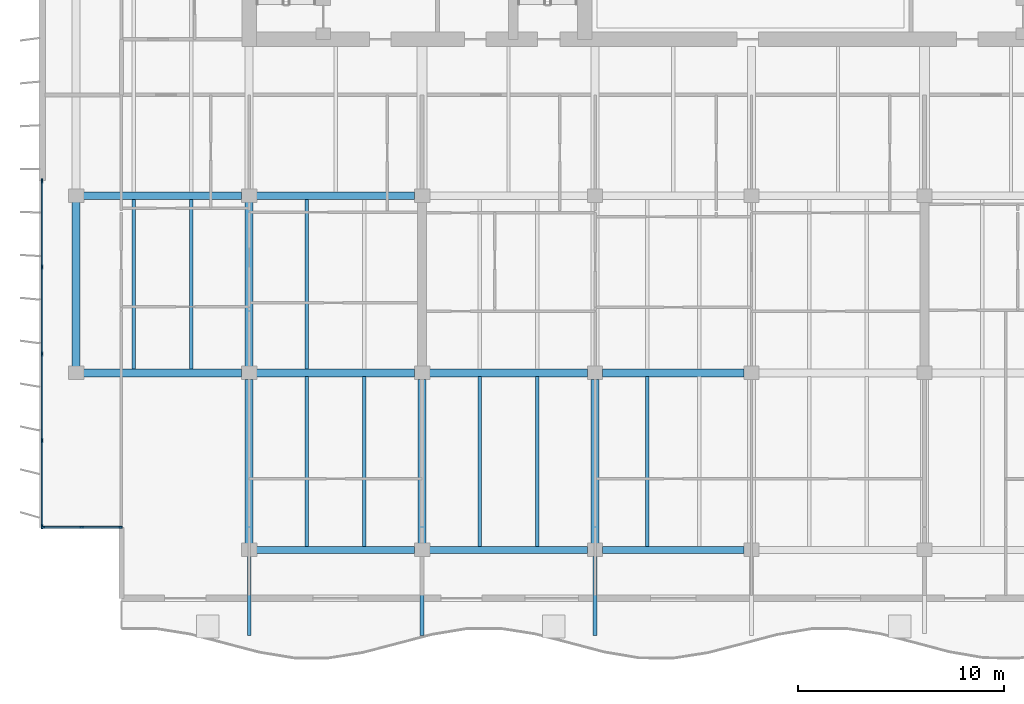
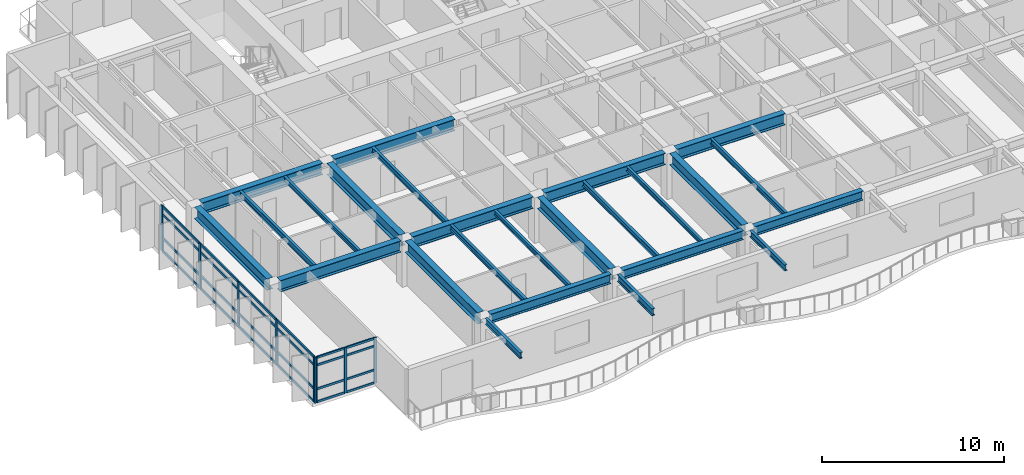
# One storey, part 2 of 19: 32 members, 25 beams, 2 elements without a shape of their own.
"""IFC4 building model written with IfcOpenShell, lengths in metres."""

from ifc_helpers import new_model, si_unit, direction, frame, origin, origin_2d, place, context, subcontext, project, spatial, rectangle, i_section, extrude, material, layer, layer_set, material_profile, profile_set, type_object, element, aggregate, save


model = new_model("IFC4")

# Units and contexts
model_context = context("Model", 3, precision=1e-05, world=origin(), true_north=direction((0.0, 1.0)))
body_context = subcontext(model_context, "Body", "Model", "MODEL_VIEW")
ifc_project = project(units=[si_unit("LENGTHUNIT", "METRE"), si_unit("AREAUNIT", "SQUARE_METRE"), si_unit("VOLUMEUNIT", "CUBIC_METRE"), si_unit("PLANEANGLEUNIT", "RADIAN"), si_unit("MASSUNIT", "GRAM", prefix="KILO")], contexts=[model_context])

# Site, building, storey
site_placement = place(None, origin())
site = spatial("IfcSite", under=ifc_project, at=site_placement, CompositionType="ELEMENT")
building_placement = place(site_placement, origin())
building = spatial("IfcBuilding", under=site, at=building_placement, Name="Caelmar Bay Residences", CompositionType="ELEMENT")
storey_placement = place(building_placement, frame((0.0, 0.0, 256.199951171875)))
storey = spatial("IfcBuildingStorey", under=building, at=storey_placement, Name="L72", CompositionType="ELEMENT", Elevation=256.199951171875)

# Beams
ifc_material_1 = material(Name="Steel ASTM A992 Grade 50", Category="steel")
ifc_material_profile_1 = material_profile(ifc_material_1, i_section(OverallWidth=0.177978515625, OverallDepth=0.406005859375, WebThickness=0.0078125, FlangeThickness=0.0126953125, FilletRadius=0.0087890625, at=origin_2d()), Name="W16X40")
ifc_profile_set_1 = profile_set([ifc_material_profile_1], Name="Steel ASTM A992 Grade 50")
beam_type_1 = type_object("IfcBeamType", Name="BM-BAL-W16X40", PredefinedType="JOIST", material=ifc_profile_set_1)
for number, where, z_axis, x_axis, name in (
    (1, (18.300048828125, 11.885009765625, 2.84716796875), (0.0, -1.0, 0.0), (1.0, 0.0, 0.0), "L73 South Balcony Cantilever Bracket 1"),
    (2, (35.10009765625, 11.885009765625, 2.84716796875), (0.0, -1.0, 0.0), (1.0, 0.0, 0.0), "L73 South Balcony Cantilever Bracket 3"),
):
    element("IfcBeam", number, at=place(storey_placement, frame(where, z_axis=z_axis, x_axis=x_axis)), inside=storey, type_object=beam_type_1, Name=name, PredefinedType="JOIST", context=body_context, shape_type="SweptSolid", body=[
        extrude(i_section(OverallWidth=0.177978515625, OverallDepth=0.406005859375, WebThickness=0.0078125, FlangeThickness=0.0126953125, FilletRadius=0.0087890625, at=origin_2d()), origin(), (0.0, 0.0, 1.0), 3.85009765625),
    ])
ifc_material_profile_2 = material_profile(ifc_material_1, i_section(OverallWidth=0.193115234375, OverallDepth=0.467041015625, WebThickness=0.011474609375, FlangeThickness=0.01904296875, FilletRadius=0.01025390625, at=origin_2d()), Name="W18X65")
ifc_profile_set_2 = profile_set([ifc_material_profile_2], Name="Steel ASTM A992 Grade 50")
beam_type_2 = type_object("IfcBeamType", Name="BM-BAL-W18X65", PredefinedType="BEAM", material=ifc_profile_set_2)
beam_1_placement = place(storey_placement, frame((26.699951171875, 11.885009765625, 2.816650390625), z_axis=(0.0, -1.0, 0.0), x_axis=(1.0, 0.0, 0.0)))
element("IfcBeam", 3, at=beam_1_placement, inside=storey, type_object=beam_type_2, Name="L73 South Balcony Cantilever Bracket 2", PredefinedType="BEAM", context=body_context, shape_type="SweptSolid", body=[
    extrude(i_section(OverallWidth=0.193115234375, OverallDepth=0.467041015625, WebThickness=0.011474609375, FlangeThickness=0.01904296875, FilletRadius=0.01025390625, at=origin_2d()), origin(), (0.0, 0.0, 1.0), 3.85009765625),
])
ifc_material_profile_3 = material_profile(ifc_material_1, i_section(OverallWidth=0.381103515625, OverallDepth=0.77197265625, WebThickness=0.0166015625, FlangeThickness=0.027099609375, FilletRadius=0.0166015625, at=origin_2d()), Name="W30X173")
ifc_profile_set_3 = profile_set([ifc_material_profile_3], Name="Steel ASTM A992 Grade 50")
beam_type_3 = type_object("IfcBeamType", Name="BM-GRD-W30X173", PredefinedType="BEAM", material=ifc_profile_set_3)
beam_2_placement = place(storey_placement, frame((10.264892578125, 20.800048828125, 2.6640625), z_axis=(1.0, 0.0, 0.0), x_axis=(0.0, 1.0, 0.0)))
element("IfcBeam", 4, at=beam_2_placement, inside=storey, type_object=beam_type_3, Name="L72 East-West Girder Y=20.80 (9.9-18.3)", PredefinedType="BEAM", context=body_context, shape_type="SweptSolid", body=[
    extrude(i_section(OverallWidth=0.381103515625, OverallDepth=0.77197265625, WebThickness=0.0166015625, FlangeThickness=0.027099609375, FilletRadius=0.0166015625, at=origin_2d()), origin(), (0.0, 0.0, 1.0), 7.670166015625),
])
beam_3_placement = place(storey_placement, frame((18.6650390625, 20.800048828125, 2.6640625), z_axis=(1.0, 0.0, 0.0), x_axis=(0.0, 1.0, 0.0)))
element("IfcBeam", 5, at=beam_3_placement, inside=storey, type_object=beam_type_3, Name="L72 East-West Girder Y=20.80 (18.3-26.7)", PredefinedType="BEAM", context=body_context, shape_type="SweptSolid", body=[
    extrude(i_section(OverallWidth=0.381103515625, OverallDepth=0.77197265625, WebThickness=0.0166015625, FlangeThickness=0.027099609375, FilletRadius=0.0166015625, at=origin_2d()), origin(), (0.0, 0.0, 1.0), 7.669921875),
])
beam_4_placement = place(storey_placement, frame((27.06494140625, 20.800048828125, 2.6640625), z_axis=(1.0, 0.0, 0.0), x_axis=(0.0, 1.0, 0.0)))
element("IfcBeam", 6, at=beam_4_placement, inside=storey, type_object=beam_type_3, Name="L72 East-West Girder Y=20.80 (26.7-35.1)", PredefinedType="BEAM", context=body_context, shape_type="SweptSolid", body=[
    extrude(i_section(OverallWidth=0.381103515625, OverallDepth=0.77197265625, WebThickness=0.0166015625, FlangeThickness=0.027099609375, FilletRadius=0.0166015625, at=origin_2d()), origin(), (0.0, 0.0, 1.0), 7.670166015625),
])
beam_5_placement = place(storey_placement, frame((35.465087890625, 20.800048828125, 2.6640625), z_axis=(1.0, 0.0, 0.0), x_axis=(0.0, 1.0, 0.0)))
element("IfcBeam", 7, at=beam_5_placement, inside=storey, type_object=beam_type_3, Name="L72 East-West Girder Y=20.80 (35.1-42.7)", PredefinedType="BEAM", context=body_context, shape_type="SweptSolid", body=[
    extrude(i_section(OverallWidth=0.381103515625, OverallDepth=0.77197265625, WebThickness=0.0166015625, FlangeThickness=0.027099609375, FilletRadius=0.0166015625, at=origin_2d()), origin(), (0.0, 0.0, 1.0), 6.869873046875),
])
beam_6_placement = place(storey_placement, frame((10.264892578125, 29.39990234375, 2.6640625), z_axis=(1.0, 0.0, 0.0), x_axis=(0.0, 1.0, 0.0)))
element("IfcBeam", 8, at=beam_6_placement, inside=storey, type_object=beam_type_3, Name="L72 East-West Girder Y=29.40 (9.9-18.3)", PredefinedType="BEAM", context=body_context, shape_type="SweptSolid", body=[
    extrude(i_section(OverallWidth=0.381103515625, OverallDepth=0.77197265625, WebThickness=0.0166015625, FlangeThickness=0.027099609375, FilletRadius=0.0166015625, at=origin_2d()), origin(), (0.0, 0.0, 1.0), 7.670166015625),
])
beam_7_placement = place(storey_placement, frame((18.6650390625, 29.39990234375, 2.6640625), z_axis=(1.0, 0.0, 0.0), x_axis=(0.0, 1.0, 0.0)))
element("IfcBeam", 9, at=beam_7_placement, inside=storey, type_object=beam_type_3, Name="L72 East-West Girder Y=29.40 (18.3-26.7)", PredefinedType="BEAM", context=body_context, shape_type="SweptSolid", body=[
    extrude(i_section(OverallWidth=0.381103515625, OverallDepth=0.77197265625, WebThickness=0.0166015625, FlangeThickness=0.027099609375, FilletRadius=0.0166015625, at=origin_2d()), origin(), (0.0, 0.0, 1.0), 7.669921875),
])
beam_8_placement = place(storey_placement, frame((9.89990234375, 21.114990234375, 2.6640625), z_axis=(0.0, 1.0, 0.0), x_axis=(-1.0, 0.0, 0.0)))
element("IfcBeam", 10, at=beam_8_placement, inside=storey, type_object=beam_type_3, Name="L72 North-South Girder X=9.90 (20.8-29.4)", PredefinedType="BEAM", context=body_context, shape_type="SweptSolid", body=[
    extrude(i_section(OverallWidth=0.381103515625, OverallDepth=0.77197265625, WebThickness=0.0166015625, FlangeThickness=0.027099609375, FilletRadius=0.0166015625, at=origin_2d()), origin(), (0.0, 0.0, 1.0), 7.969970703125),
])
beam_9_placement = place(storey_placement, frame((18.300048828125, 12.514892578125, 2.6640625), z_axis=(0.0, 1.0, 0.0), x_axis=(-1.0, 0.0, 0.0)))
element("IfcBeam", 11, at=beam_9_placement, inside=storey, type_object=beam_type_3, Name="L72 North-South Girder X=18.30 (12.2-20.8)", PredefinedType="BEAM", context=body_context, shape_type="SweptSolid", body=[
    extrude(i_section(OverallWidth=0.381103515625, OverallDepth=0.77197265625, WebThickness=0.0166015625, FlangeThickness=0.027099609375, FilletRadius=0.0166015625, at=origin_2d()), origin(), (0.0, 0.0, 1.0), 7.97021484375),
])
beam_10_placement = place(storey_placement, frame((18.300048828125, 21.114990234375, 2.6640625), z_axis=(0.0, 1.0, 0.0), x_axis=(-1.0, 0.0, 0.0)))
element("IfcBeam", 12, at=beam_10_placement, inside=storey, type_object=beam_type_3, Name="L72 North-South Girder X=18.30 (20.8-29.4)", PredefinedType="BEAM", context=body_context, shape_type="SweptSolid", body=[
    extrude(i_section(OverallWidth=0.381103515625, OverallDepth=0.77197265625, WebThickness=0.0166015625, FlangeThickness=0.027099609375, FilletRadius=0.0166015625, at=origin_2d()), origin(), (0.0, 0.0, 1.0), 7.969970703125),
])
for number, where, z_axis, x_axis, name in (
    (13, (26.699951171875, 12.514892578125, 2.6640625), (0.0, 1.0, 0.0), (-1.0, 0.0, 0.0), "L72 North-South Girder X=26.70 (12.2-20.8)"),
    (14, (35.10009765625, 12.514892578125, 2.6640625), (0.0, 1.0, 0.0), (-1.0, 0.0, 0.0), "L72 North-South Girder X=35.10 (12.2-20.8)"),
):
    element("IfcBeam", number, at=place(storey_placement, frame(where, z_axis=z_axis, x_axis=x_axis)), inside=storey, type_object=beam_type_3, Name=name, PredefinedType="BEAM", context=body_context, shape_type="SweptSolid", body=[
        extrude(i_section(OverallWidth=0.381103515625, OverallDepth=0.77197265625, WebThickness=0.0166015625, FlangeThickness=0.027099609375, FilletRadius=0.0166015625, at=origin_2d()), origin(), (0.0, 0.0, 1.0), 7.97021484375),
    ])
ifc_material_profile_4 = material_profile(ifc_material_1, i_section(OverallWidth=0.1650390625, OverallDepth=0.31005859375, WebThickness=0.005859375, FlangeThickness=0.009765625, FilletRadius=0.007568359375, at=origin_2d()), Name="W12X26")
ifc_profile_set_4 = profile_set([ifc_material_profile_4], Name="Steel ASTM A992 Grade 50")
beam_type_4 = type_object("IfcBeamType", Name="BM-JST-W12X26", PredefinedType="JOIST", material=ifc_profile_set_4)
for number, where, z_axis, x_axis, name in (
    (15, (23.89990234375, 12.362548828125, 2.89501953125), (0.0, 1.0, 0.0), (-1.0, 0.0, 0.0), "L72 Composite Floor Joist 2"),
    (16, (32.300048828125, 12.362548828125, 2.89501953125), (0.0, 1.0, 0.0), (-1.0, 0.0, 0.0), "L72 Composite Floor Joist 4"),
):
    element("IfcBeam", number, at=place(storey_placement, frame(where, z_axis=z_axis, x_axis=x_axis)), inside=storey, type_object=beam_type_4, Name=name, PredefinedType="JOIST", context=body_context, shape_type="SweptSolid", body=[
        extrude(i_section(OverallWidth=0.1650390625, OverallDepth=0.31005859375, WebThickness=0.005859375, FlangeThickness=0.009765625, FilletRadius=0.007568359375, at=origin_2d()), origin(), (0.0, 0.0, 1.0), 8.2470703125),
    ])
beam_11_placement = place(storey_placement, frame((15.5, 20.990478515625, 2.89501953125), z_axis=(0.0, 1.0, 0.0), x_axis=(-1.0, 0.0, 0.0)))
element("IfcBeam", 17, at=beam_11_placement, inside=storey, type_object=beam_type_4, Name="L72 Composite Floor Joist 12", PredefinedType="JOIST", context=body_context, shape_type="SweptSolid", body=[
    extrude(i_section(OverallWidth=0.1650390625, OverallDepth=0.31005859375, WebThickness=0.005859375, FlangeThickness=0.009765625, FilletRadius=0.007568359375, at=origin_2d()), origin(), (0.0, 0.0, 1.0), 8.218994140625),
])
ifc_material_profile_5 = material_profile(ifc_material_1, i_section(OverallWidth=0.1708984375, OverallDepth=0.35595703125, WebThickness=0.007080078125, FlangeThickness=0.01171875, FilletRadius=0.007568359375, at=origin_2d()), Name="W14X34")
ifc_profile_set_5 = profile_set([ifc_material_profile_5], Name="Steel ASTM A992 Grade 50")
beam_type_5 = type_object("IfcBeamType", Name="BM-JST-W14X34", PredefinedType="JOIST", material=ifc_profile_set_5)
for number, where, z_axis, x_axis, name in (
    (18, (21.10009765625, 12.362548828125, 2.8720703125), (0.0, 1.0, 0.0), (-1.0, 0.0, 0.0), "L72 Composite Floor Joist 1"),
    (19, (29.5, 12.362548828125, 2.8720703125), (0.0, 1.0, 0.0), (-1.0, 0.0, 0.0), "L72 Composite Floor Joist 3"),
    (20, (37.63330078125, 12.362548828125, 2.8720703125), (0.0, 1.0, 0.0), (-1.0, 0.0, 0.0), "L72 Composite Floor Joist 5"),
):
    element("IfcBeam", number, at=place(storey_placement, frame(where, z_axis=z_axis, x_axis=x_axis)), inside=storey, type_object=beam_type_5, Name=name, PredefinedType="JOIST", context=body_context, shape_type="SweptSolid", body=[
        extrude(i_section(OverallWidth=0.1708984375, OverallDepth=0.35595703125, WebThickness=0.007080078125, FlangeThickness=0.01171875, FilletRadius=0.007568359375, at=origin_2d()), origin(), (0.0, 0.0, 1.0), 8.2470703125),
    ])
for number, where, z_axis, x_axis, name in (
    (21, (12.699951171875, 20.990478515625, 2.8720703125), (0.0, 1.0, 0.0), (-1.0, 0.0, 0.0), "L72 Composite Floor Joist 11"),
    (22, (21.10009765625, 20.990478515625, 2.8720703125), (0.0, 1.0, 0.0), (-1.0, 0.0, 0.0), "L72 Composite Floor Joist 13"),
):
    element("IfcBeam", number, at=place(storey_placement, frame(where, z_axis=z_axis, x_axis=x_axis)), inside=storey, type_object=beam_type_5, Name=name, PredefinedType="JOIST", context=body_context, shape_type="SweptSolid", body=[
        extrude(i_section(OverallWidth=0.1708984375, OverallDepth=0.35595703125, WebThickness=0.007080078125, FlangeThickness=0.01171875, FilletRadius=0.007568359375, at=origin_2d()), origin(), (0.0, 0.0, 1.0), 8.218994140625),
    ])
ifc_material_profile_6 = material_profile(ifc_material_1, i_section(OverallWidth=0.324951171875, OverallDepth=0.616943359375, WebThickness=0.013916015625, FlangeThickness=0.021484375, FilletRadius=0.0126953125, at=origin_2d()), Name="W24X117")
ifc_profile_set_6 = profile_set([ifc_material_profile_6], Name="Steel ASTM A992 Grade 50")
beam_type_6 = type_object("IfcBeamType", Name="BM-SPN-W24X117", PredefinedType="SPANDREL", material=ifc_profile_set_6)
beam_12_placement = place(storey_placement, frame((18.6650390625, 12.199951171875, 2.741455078125), z_axis=(1.0, 0.0, 0.0), x_axis=(0.0, 1.0, 0.0)))
element("IfcBeam", 23, at=beam_12_placement, inside=storey, type_object=beam_type_6, Name="L72 East-West Girder Y=12.20 (18.3-26.7)", PredefinedType="SPANDREL", context=body_context, shape_type="SweptSolid", body=[
    extrude(i_section(OverallWidth=0.324951171875, OverallDepth=0.616943359375, WebThickness=0.013916015625, FlangeThickness=0.021484375, FilletRadius=0.0126953125, at=origin_2d()), origin(), (0.0, 0.0, 1.0), 7.669921875),
])
beam_13_placement = place(storey_placement, frame((27.06494140625, 12.199951171875, 2.741455078125), z_axis=(1.0, 0.0, 0.0), x_axis=(0.0, 1.0, 0.0)))
element("IfcBeam", 24, at=beam_13_placement, inside=storey, type_object=beam_type_6, Name="L72 East-West Girder Y=12.20 (26.7-35.1)", PredefinedType="SPANDREL", context=body_context, shape_type="SweptSolid", body=[
    extrude(i_section(OverallWidth=0.324951171875, OverallDepth=0.616943359375, WebThickness=0.013916015625, FlangeThickness=0.021484375, FilletRadius=0.0126953125, at=origin_2d()), origin(), (0.0, 0.0, 1.0), 7.670166015625),
])
beam_14_placement = place(storey_placement, frame((35.465087890625, 12.199951171875, 2.741455078125), z_axis=(1.0, 0.0, 0.0), x_axis=(0.0, 1.0, 0.0)))
element("IfcBeam", 25, at=beam_14_placement, inside=storey, type_object=beam_type_6, Name="L72 East-West Girder Y=12.20 (35.1-42.7)", PredefinedType="SPANDREL", context=body_context, shape_type="SweptSolid", body=[
    extrude(i_section(OverallWidth=0.324951171875, OverallDepth=0.616943359375, WebThickness=0.013916015625, FlangeThickness=0.021484375, FilletRadius=0.0126953125, at=origin_2d()), origin(), (0.0, 0.0, 1.0), 6.869873046875),
])

# Curtain wall, members
ifc_material_2 = material(Name="Anodised bronze aluminium 6063-T6 and laminated glass", Category="aluminium")
ifc_layer_1 = layer(ifc_material_2, 0.179931640625)
ifc_layer_set_1 = layer_set([ifc_layer_1], Name="Anodised bronze aluminium 6063-T6 and laminated glass")
curtain_wall_type_1 = type_object("IfcCurtainWallType", Name="CW6-NTC", PredefinedType="NOTDEFINED", material=ifc_layer_set_1)
curtain_wall_1_placement = place(storey_placement, origin())
curtain_wall_1 = element("IfcCurtainWall", 26, at=curtain_wall_1_placement, inside=storey, type_object=curtain_wall_type_1, Name="CW6 curtain wall L72", PredefinedType="NOTDEFINED")
ifc_material_3 = material(Name="Anodised bronze aluminium 6063-T6", Category="aluminium")
ifc_material_profile_7 = material_profile(ifc_material_3, rectangle(XDim=0.080078125, YDim=0.179931640625, at=origin_2d()), Name="CWM-80X180")
ifc_profile_set_7 = profile_set([ifc_material_profile_7], Name="Anodised bronze aluminium 6063-T6")
member_type_1 = type_object("IfcMemberType", Name="CWM-180", PredefinedType="MULLION", material=ifc_profile_set_7)
member_1_placement = place(storey_placement, frame((8.2900390625, 13.300048828125, 0.0), z_axis=(0.0, 0.0, 1.0), x_axis=(0.0, 1.0, 0.0)))
member_1 = element("IfcMember", 27, at=member_1_placement, type_object=member_type_1, Name="CW6 mullion 1", PredefinedType="MULLION", context=body_context, shape_type="SweptSolid", body=[
    extrude(rectangle(XDim=0.080078125, YDim=0.179931640625, at=origin_2d()), origin(), (0.0, 0.0, 1.0), 3.050048828125),
])
member_2_placement = place(storey_placement, frame((10.175048828125, 13.300048828125, 0.0), z_axis=(0.0, 0.0, 1.0), x_axis=(0.0, 1.0, 0.0)))
member_2 = element("IfcMember", 28, at=member_2_placement, type_object=member_type_1, Name="CW6 mullion 2", PredefinedType="MULLION", context=body_context, shape_type="SweptSolid", body=[
    extrude(rectangle(XDim=0.080078125, YDim=0.179931640625, at=origin_2d()), origin(), (0.0, 0.0, 1.0), 3.050048828125),
])
member_3_placement = place(storey_placement, frame((12.06005859375, 13.300048828125, 0.0), z_axis=(0.0, 0.0, 1.0), x_axis=(0.0, 1.0, 0.0)))
member_3 = element("IfcMember", 29, at=member_3_placement, type_object=member_type_1, Name="CW6 mullion 3", PredefinedType="MULLION", context=body_context, shape_type="SweptSolid", body=[
    extrude(rectangle(XDim=0.080078125, YDim=0.179931640625, at=origin_2d()), origin(), (0.0, 0.0, 1.0), 3.050048828125),
])

ifc_layer_2 = layer(ifc_material_2, 0.179931640625)
ifc_layer_set_2 = layer_set([ifc_layer_2], Name="Anodised bronze aluminium 6063-T6 and laminated glass")
curtain_wall_type_2 = type_object("IfcCurtainWallType", Name="CW5-Z4", PredefinedType="NOTDEFINED", material=ifc_layer_set_2)
curtain_wall_2_placement = place(storey_placement, origin())
curtain_wall_2 = element("IfcCurtainWall", 30, at=curtain_wall_2_placement, inside=storey, type_object=curtain_wall_type_2, Name="CW5 curtain wall L72", PredefinedType="NOTDEFINED")
ifc_material_profile_8 = material_profile(ifc_material_3, rectangle(XDim=0.080078125, YDim=0.219970703125, at=origin_2d()), Name="CWM-80X220")
ifc_profile_set_8 = profile_set([ifc_material_profile_8], Name="Anodised bronze aluminium 6063-T6")
member_type_2 = type_object("IfcMemberType", Name="CWM-220", PredefinedType="MULLION", material=ifc_profile_set_8)
member_4_placement = place(storey_placement, frame((8.25, 13.340087890625, 0.0), z_axis=(0.0, 0.0, 1.0), x_axis=(-1.0, 0.0, 0.0)))
member_4 = element("IfcMember", 31, at=member_4_placement, type_object=member_type_2, Name="CW5 mullion 1", PredefinedType="MULLION", context=body_context, shape_type="SweptSolid", body=[
    extrude(rectangle(XDim=0.080078125, YDim=0.219970703125, at=origin_2d()), origin(), (0.0, 0.0, 1.0), 3.050048828125),
])
member_5_placement = place(storey_placement, frame((8.25, 17.512451171875, 0.0), z_axis=(0.0, 0.0, 1.0), x_axis=(-1.0, 0.0, 0.0)))
member_5 = element("IfcMember", 32, at=member_5_placement, type_object=member_type_2, Name="CW5 mullion 2", PredefinedType="MULLION", context=body_context, shape_type="SweptSolid", body=[
    extrude(rectangle(XDim=0.080078125, YDim=0.219970703125, at=origin_2d()), origin(), (0.0, 0.0, 1.0), 3.050048828125),
])
member_6_placement = place(storey_placement, frame((8.25, 21.72509765625, 0.0), z_axis=(0.0, 0.0, 1.0), x_axis=(-1.0, 0.0, 0.0)))
member_6 = element("IfcMember", 33, at=member_6_placement, type_object=member_type_2, Name="CW5 mullion 3", PredefinedType="MULLION", context=body_context, shape_type="SweptSolid", body=[
    extrude(rectangle(XDim=0.080078125, YDim=0.219970703125, at=origin_2d()), origin(), (0.0, 0.0, 1.0), 3.050048828125),
])
member_7_placement = place(storey_placement, frame((8.25, 25.9375, 0.0), z_axis=(0.0, 0.0, 1.0), x_axis=(-1.0, 0.0, 0.0)))
member_7 = element("IfcMember", 34, at=member_7_placement, type_object=member_type_2, Name="CW5 mullion 4", PredefinedType="MULLION", context=body_context, shape_type="SweptSolid", body=[
    extrude(rectangle(XDim=0.080078125, YDim=0.219970703125, at=origin_2d()), origin(), (0.0, 0.0, 1.0), 3.050048828125),
])
member_8_placement = place(storey_placement, frame((8.25, 30.110107421875, 0.0), z_axis=(0.0, 0.0, 1.0), x_axis=(-1.0, 0.0, 0.0)))
member_8 = element("IfcMember", 35, at=member_8_placement, type_object=member_type_2, Name="CW5 mullion 5", PredefinedType="MULLION", context=body_context, shape_type="SweptSolid", body=[
    extrude(rectangle(XDim=0.080078125, YDim=0.219970703125, at=origin_2d()), origin(), (0.0, 0.0, 1.0), 3.050048828125),
])

# Member
ifc_material_profile_9 = material_profile(ifc_material_3, rectangle(XDim=0.080078125, YDim=0.139892578125, at=origin_2d()), Name="CWT-80X140")
ifc_profile_set_9 = profile_set([ifc_material_profile_9], Name="Anodised bronze aluminium 6063-T6")
member_type_3 = type_object("IfcMemberType", Name="CWT-140", PredefinedType="NOTDEFINED", material=ifc_profile_set_9)
member_9_placement = place(storey_placement, frame((8.330078125, 13.300048828125, 0.0400390625), z_axis=(1.0, 0.0, 0.0), x_axis=(0.0, 1.0, 0.0)))
member_9 = element("IfcMember", 36, at=member_9_placement, type_object=member_type_3, Name="CW6 transom 1.1", ObjectType="TRANSOM", PredefinedType="USERDEFINED", context=body_context, shape_type="SweptSolid", body=[
    extrude(rectangle(XDim=0.080078125, YDim=0.139892578125, at=origin_2d()), origin(), (0.0, 0.0, 1.0), 1.804931640625),
])

member_10_placement = place(storey_placement, frame((8.330078125, 13.300048828125, 0.900146484375), z_axis=(1.0, 0.0, 0.0), x_axis=(0.0, 1.0, 0.0)))
member_10 = element("IfcMember", 37, at=member_10_placement, type_object=member_type_3, Name="CW6 transom 1.2", ObjectType="TRANSOM", PredefinedType="USERDEFINED", context=body_context, shape_type="SweptSolid", body=[
    extrude(rectangle(XDim=0.080078125, YDim=0.139892578125, at=origin_2d()), origin(), (0.0, 0.0, 1.0), 1.804931640625),
])

member_11_placement = place(storey_placement, frame((8.330078125, 13.300048828125, 2.5), z_axis=(1.0, 0.0, 0.0), x_axis=(0.0, 1.0, 0.0)))
member_11 = element("IfcMember", 38, at=member_11_placement, type_object=member_type_3, Name="CW6 transom 1.3", ObjectType="TRANSOM", PredefinedType="USERDEFINED", context=body_context, shape_type="SweptSolid", body=[
    extrude(rectangle(XDim=0.080078125, YDim=0.139892578125, at=origin_2d()), origin(), (0.0, 0.0, 1.0), 1.804931640625),
])

member_12_placement = place(storey_placement, frame((8.330078125, 13.300048828125, 3.010009765625), z_axis=(1.0, 0.0, 0.0), x_axis=(0.0, 1.0, 0.0)))
member_12 = element("IfcMember", 39, at=member_12_placement, type_object=member_type_3, Name="CW6 transom 1.4", ObjectType="TRANSOM", PredefinedType="USERDEFINED", context=body_context, shape_type="SweptSolid", body=[
    extrude(rectangle(XDim=0.080078125, YDim=0.139892578125, at=origin_2d()), origin(), (0.0, 0.0, 1.0), 1.804931640625),
])

member_13_placement = place(storey_placement, frame((10.215087890625, 13.300048828125, 0.0400390625), z_axis=(1.0, 0.0, 0.0), x_axis=(0.0, 1.0, 0.0)))
member_13 = element("IfcMember", 40, at=member_13_placement, type_object=member_type_3, Name="CW6 transom 2.1", ObjectType="TRANSOM", PredefinedType="USERDEFINED", context=body_context, shape_type="SweptSolid", body=[
    extrude(rectangle(XDim=0.080078125, YDim=0.139892578125, at=origin_2d()), origin(), (0.0, 0.0, 1.0), 1.804931640625),
])

member_14_placement = place(storey_placement, frame((10.215087890625, 13.300048828125, 0.900146484375), z_axis=(1.0, 0.0, 0.0), x_axis=(0.0, 1.0, 0.0)))
member_14 = element("IfcMember", 41, at=member_14_placement, type_object=member_type_3, Name="CW6 transom 2.2", ObjectType="TRANSOM", PredefinedType="USERDEFINED", context=body_context, shape_type="SweptSolid", body=[
    extrude(rectangle(XDim=0.080078125, YDim=0.139892578125, at=origin_2d()), origin(), (0.0, 0.0, 1.0), 1.804931640625),
])

member_15_placement = place(storey_placement, frame((10.215087890625, 13.300048828125, 2.5), z_axis=(1.0, 0.0, 0.0), x_axis=(0.0, 1.0, 0.0)))
member_15 = element("IfcMember", 42, at=member_15_placement, type_object=member_type_3, Name="CW6 transom 2.3", ObjectType="TRANSOM", PredefinedType="USERDEFINED", context=body_context, shape_type="SweptSolid", body=[
    extrude(rectangle(XDim=0.080078125, YDim=0.139892578125, at=origin_2d()), origin(), (0.0, 0.0, 1.0), 1.804931640625),
])

member_16_placement = place(storey_placement, frame((10.215087890625, 13.300048828125, 3.010009765625), z_axis=(1.0, 0.0, 0.0), x_axis=(0.0, 1.0, 0.0)))
member_16 = element("IfcMember", 43, at=member_16_placement, type_object=member_type_3, Name="CW6 transom 2.4", ObjectType="TRANSOM", PredefinedType="USERDEFINED", context=body_context, shape_type="SweptSolid", body=[
    extrude(rectangle(XDim=0.080078125, YDim=0.139892578125, at=origin_2d()), origin(), (0.0, 0.0, 1.0), 1.804931640625),
])

aggregate(curtain_wall_1, [member_1, member_2, member_3, member_9, member_10, member_11, member_12, member_13, member_14, member_15, member_16])

ifc_material_profile_10 = material_profile(ifc_material_3, rectangle(XDim=0.080078125, YDim=0.159912109375, at=origin_2d()), Name="CWT-80X160")
ifc_profile_set_10 = profile_set([ifc_material_profile_10], Name="Anodised bronze aluminium 6063-T6")
member_type_4 = type_object("IfcMemberType", Name="CWT-160", PredefinedType="NOTDEFINED", material=ifc_profile_set_10)
member_17_placement = place(storey_placement, frame((8.25, 13.3798828125, 0.0400390625), z_axis=(0.0, 1.0, 0.0), x_axis=(-1.0, 0.0, 0.0)))
member_17 = element("IfcMember", 44, at=member_17_placement, type_object=member_type_4, Name="CW5 transom 1.1", ObjectType="TRANSOM", PredefinedType="USERDEFINED", context=body_context, shape_type="SweptSolid", body=[
    extrude(rectangle(XDim=0.080078125, YDim=0.159912109375, at=origin_2d()), origin(), (0.0, 0.0, 1.0), 4.092529296875),
])

member_18_placement = place(storey_placement, frame((8.25, 13.3798828125, 0.900146484375), z_axis=(0.0, 1.0, 0.0), x_axis=(-1.0, 0.0, 0.0)))
member_18 = element("IfcMember", 45, at=member_18_placement, type_object=member_type_4, Name="CW5 transom 1.2", ObjectType="TRANSOM", PredefinedType="USERDEFINED", context=body_context, shape_type="SweptSolid", body=[
    extrude(rectangle(XDim=0.080078125, YDim=0.159912109375, at=origin_2d()), origin(), (0.0, 0.0, 1.0), 4.092529296875),
])

member_19_placement = place(storey_placement, frame((8.25, 13.3798828125, 2.5), z_axis=(0.0, 1.0, 0.0), x_axis=(-1.0, 0.0, 0.0)))
member_19 = element("IfcMember", 46, at=member_19_placement, type_object=member_type_4, Name="CW5 transom 1.3", ObjectType="TRANSOM", PredefinedType="USERDEFINED", context=body_context, shape_type="SweptSolid", body=[
    extrude(rectangle(XDim=0.080078125, YDim=0.159912109375, at=origin_2d()), origin(), (0.0, 0.0, 1.0), 4.092529296875),
])

member_20_placement = place(storey_placement, frame((8.25, 13.3798828125, 3.010009765625), z_axis=(0.0, 1.0, 0.0), x_axis=(-1.0, 0.0, 0.0)))
member_20 = element("IfcMember", 47, at=member_20_placement, type_object=member_type_4, Name="CW5 transom 1.4", ObjectType="TRANSOM", PredefinedType="USERDEFINED", context=body_context, shape_type="SweptSolid", body=[
    extrude(rectangle(XDim=0.080078125, YDim=0.159912109375, at=origin_2d()), origin(), (0.0, 0.0, 1.0), 4.092529296875),
])

member_21_placement = place(storey_placement, frame((8.25, 17.552490234375, 0.0400390625), z_axis=(0.0, 1.0, 0.0), x_axis=(-1.0, 0.0, 0.0)))
member_21 = element("IfcMember", 48, at=member_21_placement, type_object=member_type_4, Name="CW5 transom 2.1", ObjectType="TRANSOM", PredefinedType="USERDEFINED", context=body_context, shape_type="SweptSolid", body=[
    extrude(rectangle(XDim=0.080078125, YDim=0.159912109375, at=origin_2d()), origin(), (0.0, 0.0, 1.0), 4.132568359375),
])

member_22_placement = place(storey_placement, frame((8.25, 17.552490234375, 0.900146484375), z_axis=(0.0, 1.0, 0.0), x_axis=(-1.0, 0.0, 0.0)))
member_22 = element("IfcMember", 49, at=member_22_placement, type_object=member_type_4, Name="CW5 transom 2.2", ObjectType="TRANSOM", PredefinedType="USERDEFINED", context=body_context, shape_type="SweptSolid", body=[
    extrude(rectangle(XDim=0.080078125, YDim=0.159912109375, at=origin_2d()), origin(), (0.0, 0.0, 1.0), 4.132568359375),
])

member_23_placement = place(storey_placement, frame((8.25, 17.552490234375, 2.5), z_axis=(0.0, 1.0, 0.0), x_axis=(-1.0, 0.0, 0.0)))
member_23 = element("IfcMember", 50, at=member_23_placement, type_object=member_type_4, Name="CW5 transom 2.3", ObjectType="TRANSOM", PredefinedType="USERDEFINED", context=body_context, shape_type="SweptSolid", body=[
    extrude(rectangle(XDim=0.080078125, YDim=0.159912109375, at=origin_2d()), origin(), (0.0, 0.0, 1.0), 4.132568359375),
])

member_24_placement = place(storey_placement, frame((8.25, 17.552490234375, 3.010009765625), z_axis=(0.0, 1.0, 0.0), x_axis=(-1.0, 0.0, 0.0)))
member_24 = element("IfcMember", 51, at=member_24_placement, type_object=member_type_4, Name="CW5 transom 2.4", ObjectType="TRANSOM", PredefinedType="USERDEFINED", context=body_context, shape_type="SweptSolid", body=[
    extrude(rectangle(XDim=0.080078125, YDim=0.159912109375, at=origin_2d()), origin(), (0.0, 0.0, 1.0), 4.132568359375),
])

member_25_placement = place(storey_placement, frame((8.25, 21.764892578125, 0.0400390625), z_axis=(0.0, 1.0, 0.0), x_axis=(-1.0, 0.0, 0.0)))
member_25 = element("IfcMember", 52, at=member_25_placement, type_object=member_type_4, Name="CW5 transom 3.1", ObjectType="TRANSOM", PredefinedType="USERDEFINED", context=body_context, shape_type="SweptSolid", body=[
    extrude(rectangle(XDim=0.080078125, YDim=0.159912109375, at=origin_2d()), origin(), (0.0, 0.0, 1.0), 4.132568359375),
])

member_26_placement = place(storey_placement, frame((8.25, 21.764892578125, 0.900146484375), z_axis=(0.0, 1.0, 0.0), x_axis=(-1.0, 0.0, 0.0)))
member_26 = element("IfcMember", 53, at=member_26_placement, type_object=member_type_4, Name="CW5 transom 3.2", ObjectType="TRANSOM", PredefinedType="USERDEFINED", context=body_context, shape_type="SweptSolid", body=[
    extrude(rectangle(XDim=0.080078125, YDim=0.159912109375, at=origin_2d()), origin(), (0.0, 0.0, 1.0), 4.132568359375),
])

member_27_placement = place(storey_placement, frame((8.25, 21.764892578125, 2.5), z_axis=(0.0, 1.0, 0.0), x_axis=(-1.0, 0.0, 0.0)))
member_27 = element("IfcMember", 54, at=member_27_placement, type_object=member_type_4, Name="CW5 transom 3.3", ObjectType="TRANSOM", PredefinedType="USERDEFINED", context=body_context, shape_type="SweptSolid", body=[
    extrude(rectangle(XDim=0.080078125, YDim=0.159912109375, at=origin_2d()), origin(), (0.0, 0.0, 1.0), 4.132568359375),
])

member_28_placement = place(storey_placement, frame((8.25, 21.764892578125, 3.010009765625), z_axis=(0.0, 1.0, 0.0), x_axis=(-1.0, 0.0, 0.0)))
member_28 = element("IfcMember", 55, at=member_28_placement, type_object=member_type_4, Name="CW5 transom 3.4", ObjectType="TRANSOM", PredefinedType="USERDEFINED", context=body_context, shape_type="SweptSolid", body=[
    extrude(rectangle(XDim=0.080078125, YDim=0.159912109375, at=origin_2d()), origin(), (0.0, 0.0, 1.0), 4.132568359375),
])

member_29_placement = place(storey_placement, frame((8.25, 25.9775390625, 0.0400390625), z_axis=(0.0, 1.0, 0.0), x_axis=(-1.0, 0.0, 0.0)))
member_29 = element("IfcMember", 56, at=member_29_placement, type_object=member_type_4, Name="CW5 transom 4.1", ObjectType="TRANSOM", PredefinedType="USERDEFINED", context=body_context, shape_type="SweptSolid", body=[
    extrude(rectangle(XDim=0.080078125, YDim=0.159912109375, at=origin_2d()), origin(), (0.0, 0.0, 1.0), 4.092529296875),
])

member_30_placement = place(storey_placement, frame((8.25, 25.9775390625, 0.900146484375), z_axis=(0.0, 1.0, 0.0), x_axis=(-1.0, 0.0, 0.0)))
member_30 = element("IfcMember", 57, at=member_30_placement, type_object=member_type_4, Name="CW5 transom 4.2", ObjectType="TRANSOM", PredefinedType="USERDEFINED", context=body_context, shape_type="SweptSolid", body=[
    extrude(rectangle(XDim=0.080078125, YDim=0.159912109375, at=origin_2d()), origin(), (0.0, 0.0, 1.0), 4.092529296875),
])

member_31_placement = place(storey_placement, frame((8.25, 25.9775390625, 2.5), z_axis=(0.0, 1.0, 0.0), x_axis=(-1.0, 0.0, 0.0)))
member_31 = element("IfcMember", 58, at=member_31_placement, type_object=member_type_4, Name="CW5 transom 4.3", ObjectType="TRANSOM", PredefinedType="USERDEFINED", context=body_context, shape_type="SweptSolid", body=[
    extrude(rectangle(XDim=0.080078125, YDim=0.159912109375, at=origin_2d()), origin(), (0.0, 0.0, 1.0), 4.092529296875),
])

member_32_placement = place(storey_placement, frame((8.25, 25.9775390625, 3.010009765625), z_axis=(0.0, 1.0, 0.0), x_axis=(-1.0, 0.0, 0.0)))
member_32 = element("IfcMember", 59, at=member_32_placement, type_object=member_type_4, Name="CW5 transom 4.4", ObjectType="TRANSOM", PredefinedType="USERDEFINED", context=body_context, shape_type="SweptSolid", body=[
    extrude(rectangle(XDim=0.080078125, YDim=0.159912109375, at=origin_2d()), origin(), (0.0, 0.0, 1.0), 4.092529296875),
])

aggregate(curtain_wall_2, [member_4, member_5, member_6, member_7, member_8, member_17, member_18, member_19, member_20, member_21, member_22, member_23, member_24, member_25, member_26, member_27, member_28, member_29, member_30, member_31, member_32])

save(model, "model.ifc")
